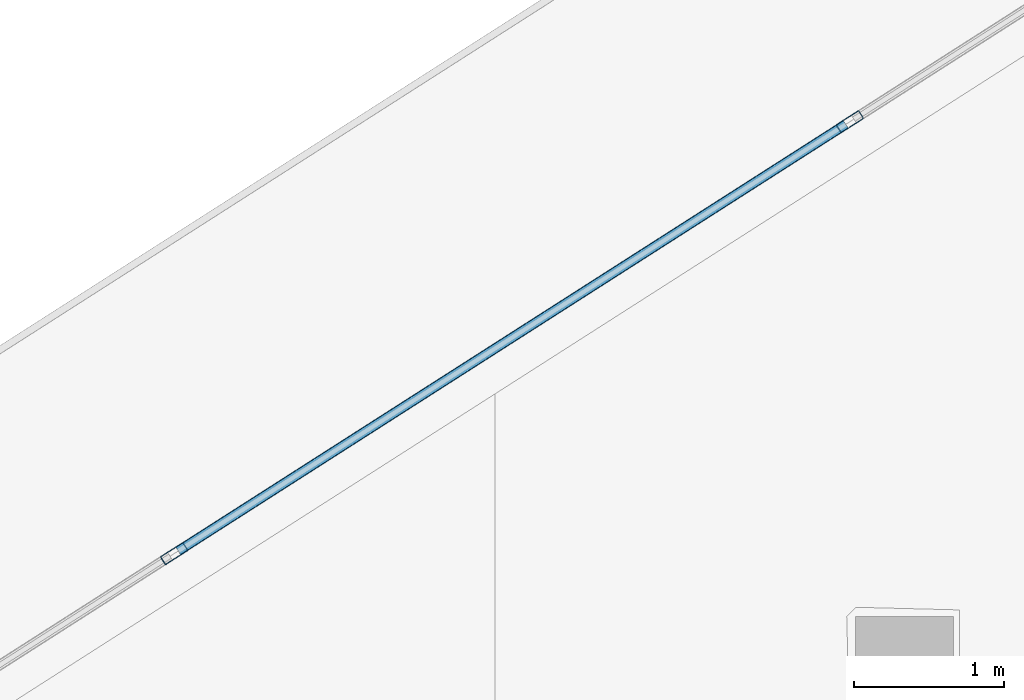
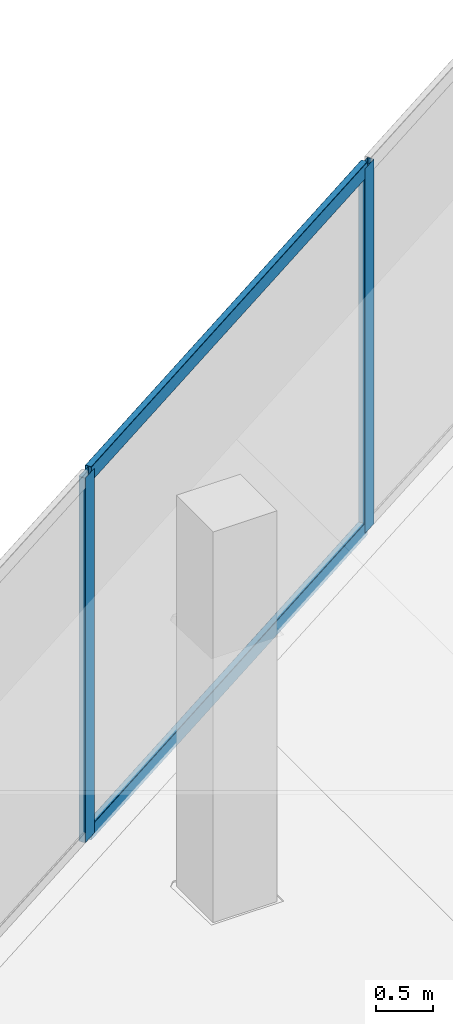
# One storey, part 18 of 42: 4 members, 1 element without a shape of its own.
"""IFC4 building model written with IfcOpenShell, lengths in metres."""

from ifc_helpers import new_model, si_unit, direction, frame, origin, origin_2d, place, context, subcontext, project, spatial, hollow_rectangle, extrude, material, layer, layer_set, material_profile, profile_set, type_object, element, aggregate, save


model = new_model("IFC4")

# Units and contexts
model_context = context("Model", 3, precision=1e-05, world=origin(), true_north=direction((0.0, 1.0)))
body_context = subcontext(model_context, "Body", "Model", "MODEL_VIEW")
ifc_project = project(units=[si_unit("LENGTHUNIT", "METRE"), si_unit("AREAUNIT", "SQUARE_METRE"), si_unit("VOLUMEUNIT", "CUBIC_METRE"), si_unit("PLANEANGLEUNIT", "RADIAN"), si_unit("MASSUNIT", "GRAM", prefix="KILO")], contexts=[model_context])

# Site, building, storey
site_placement = place(None, origin())
site = spatial("IfcSite", under=ifc_project, at=site_placement, CompositionType="ELEMENT")
building_placement = place(site_placement, origin())
building = spatial("IfcBuilding", under=site, at=building_placement, Name="Qorvath Tower", CompositionType="ELEMENT")
storey_placement = place(building_placement, frame((0.0, 0.0, 32.39990234375)))
storey = spatial("IfcBuildingStorey", under=building, at=storey_placement, Name="L06", CompositionType="ELEMENT", Elevation=32.39990234375)

# Curtain wall, members
ifc_material_1 = material(Name="Anodised aluminium and triple low-E glass", Category="aluminium")
ifc_layer = layer(ifc_material_1, 0.179931640625)
ifc_layer_set = layer_set([ifc_layer], Name="CW-SYS-2")
curtain_wall_type = type_object("IfcCurtainWallType", Name="CW-SYS-2", PredefinedType="NOTDEFINED", material=ifc_layer_set)
curtain_wall_placement = place(storey_placement, origin())
curtain_wall = element("IfcCurtainWall", 1, at=curtain_wall_placement, inside=storey, type_object=curtain_wall_type, Name="Curtain Wall CW-2 CW-T-L06-16.2", PredefinedType="NOTDEFINED")
ifc_material_2 = material(Name="Anodised aluminium 6063-T6", Category="aluminium")
ifc_material_profile_1 = material_profile(ifc_material_2, hollow_rectangle(XDim=0.06494140625, YDim=0.179931640625, WallThickness=0.00341796875, InnerFilletRadius=0.00341796875, OuterFilletRadius=0.007080078125, at=origin_2d()), Name="CWM 180x65")
ifc_profile_set_1 = profile_set([ifc_material_profile_1], Name="Anodised aluminium 6063-T6")
member_type_1 = type_object("IfcMemberType", Name="CWM-180", PredefinedType="MULLION", material=ifc_profile_set_1)
member_1_placement = place(storey_placement, frame((-31.38037109375, 23.080810546875, 0.0), z_axis=(0.0, 0.0, 1.0), x_axis=(0.538534725955, -0.842603316479, 0.0)))
member_1 = element("IfcMember", 2, at=member_1_placement, type_object=member_type_1, Name="CW-2 mullion 3", PredefinedType="MULLION", context=body_context, shape_type="SweptSolid", body=[
    extrude(hollow_rectangle(XDim=0.06494140625, YDim=0.179931640625, WallThickness=0.00341796875, InnerFilletRadius=0.00341796875, OuterFilletRadius=0.007080078125, at=origin_2d()), origin(), (0.0, 0.0, 1.0), 3.920166015625),
])
member_2_placement = place(storey_placement, frame((-35.882568359375, 20.203125, 0.0), z_axis=(0.0, 0.0, 1.0), x_axis=(0.538534725955, -0.842603316479, 0.0)))
member_2 = element("IfcMember", 3, at=member_2_placement, type_object=member_type_1, Name="CW-2 mullion 4", PredefinedType="MULLION", context=body_context, shape_type="SweptSolid", body=[
    extrude(hollow_rectangle(XDim=0.06494140625, YDim=0.179931640625, WallThickness=0.00341796875, InnerFilletRadius=0.00341796875, OuterFilletRadius=0.007080078125, at=origin_2d()), origin(), (0.0, 0.0, 1.0), 3.920166015625),
])
ifc_material_3 = material(Name="Anodised aluminium 6063-T6", Category="aluminium")
ifc_material_profile_2 = material_profile(ifc_material_3, hollow_rectangle(XDim=0.06494140625, YDim=0.159912109375, WallThickness=0.00341796875, InnerFilletRadius=0.00341796875, OuterFilletRadius=0.007080078125, at=origin_2d()), Name="CWT 160x65")
ifc_profile_set_2 = profile_set([ifc_material_profile_2], Name="Anodised aluminium 6063-T6")
member_type_2 = type_object("IfcMemberType", Name="CWT-160", PredefinedType="USERDEFINED", material=ifc_profile_set_2)
member_3_placement = place(storey_placement, frame((-31.40771484375, 23.063232421875, 0.032470703125), z_axis=(-0.842604728555, -0.538532516582, 0.0), x_axis=(0.538532516582, -0.842604728555, 0.0)))
member_3 = element("IfcMember", 4, at=member_3_placement, type_object=member_type_2, Name="CW-2 transom 3.1", ObjectType="TRANSOM", PredefinedType="USERDEFINED", context=body_context, shape_type="SweptSolid", body=[
    extrude(hollow_rectangle(XDim=0.06494140625, YDim=0.159912109375, WallThickness=0.00341796875, InnerFilletRadius=0.00341796875, OuterFilletRadius=0.007080078125, at=origin_2d()), origin(), (0.0, 0.0, 1.0), 5.2783203125),
])
member_4_placement = place(storey_placement, frame((-31.40771484375, 23.063232421875, 3.8876953125), z_axis=(-0.842604728555, -0.538532516582, 0.0), x_axis=(0.538532516582, -0.842604728555, 0.0)))
member_4 = element("IfcMember", 5, at=member_4_placement, type_object=member_type_2, Name="CW-2 transom 3.2", ObjectType="TRANSOM", PredefinedType="USERDEFINED", context=body_context, shape_type="SweptSolid", body=[
    extrude(hollow_rectangle(XDim=0.06494140625, YDim=0.159912109375, WallThickness=0.00341796875, InnerFilletRadius=0.00341796875, OuterFilletRadius=0.007080078125, at=origin_2d()), origin(), (0.0, 0.0, 1.0), 5.2783203125),
])
aggregate(curtain_wall, [member_1, member_2, member_3, member_4])

save(model, "model.ifc")
